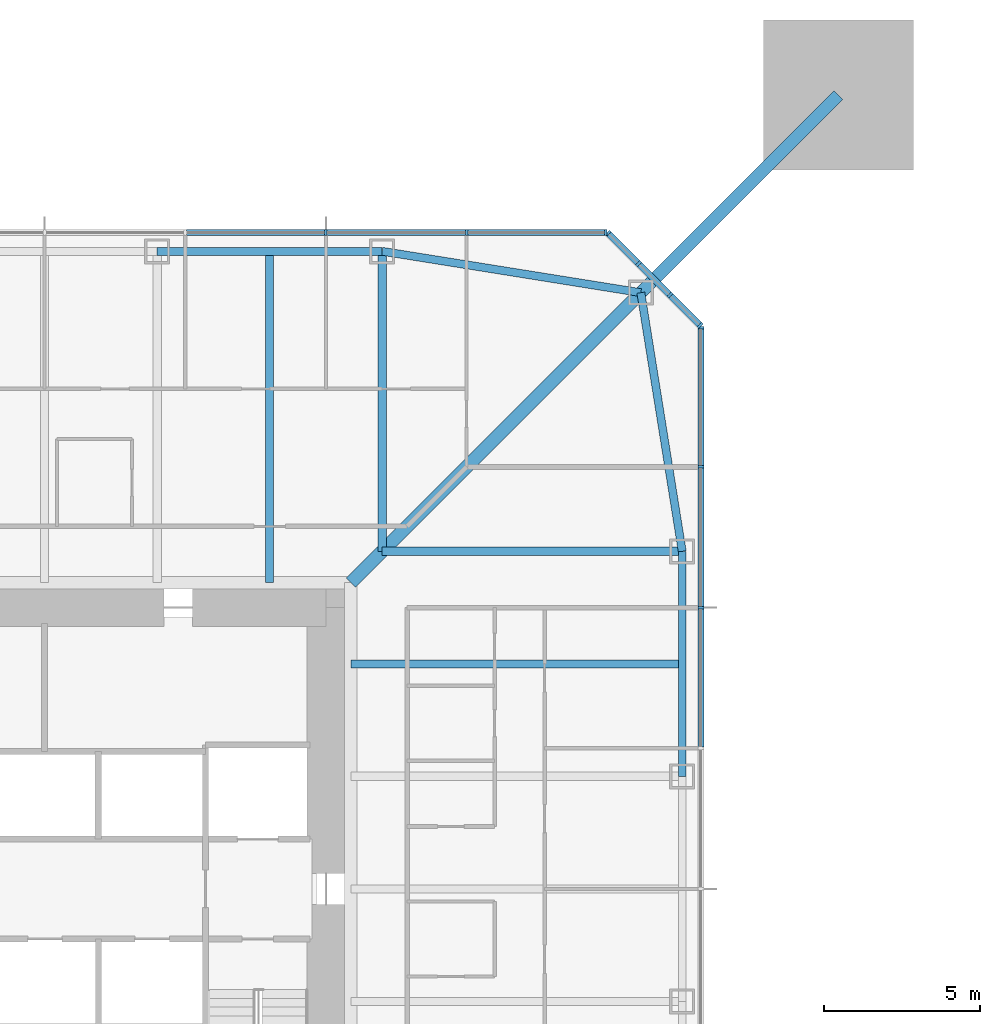
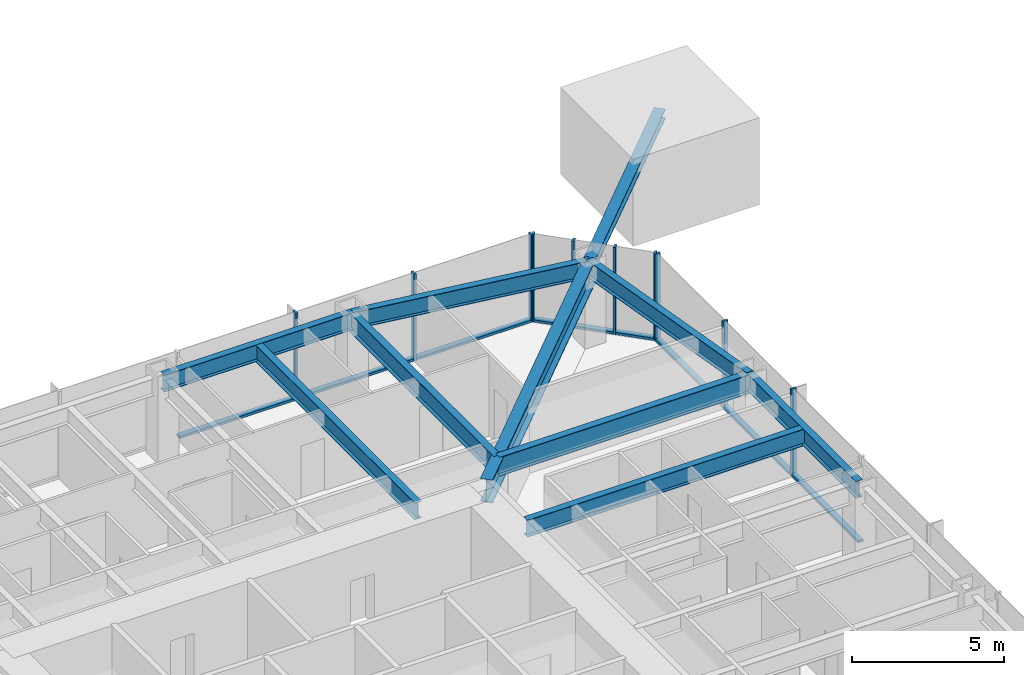
# One storey, part 7 of 25: 20 members, 9 beams, 3 elements without a shape of their own.
"""IFC4 building model written with IfcOpenShell, lengths in metres."""

from ifc_helpers import new_model, si_unit, direction, frame, origin, origin_2d, place, context, subcontext, project, spatial, rectangle, i_section, extrude, material, material_profile, profile_set, type_object, element, aggregate, save


model = new_model("IFC4")

# Units and contexts
model_context = context("Model", 3, precision=1e-05, world=origin(), true_north=direction((0.0, 1.0)))
body_context = subcontext(model_context, "Body", "Model", "MODEL_VIEW")
ifc_project = project(units=[si_unit("LENGTHUNIT", "METRE"), si_unit("AREAUNIT", "SQUARE_METRE"), si_unit("VOLUMEUNIT", "CUBIC_METRE"), si_unit("PLANEANGLEUNIT", "RADIAN"), si_unit("MASSUNIT", "GRAM", prefix="KILO")], contexts=[model_context])

# Site, building, storey
site_placement = place(None, origin())
site = spatial("IfcSite", under=ifc_project, at=site_placement, CompositionType="ELEMENT")
building_placement = place(site_placement, origin())
building = spatial("IfcBuilding", under=site, at=building_placement, Name="Iwan Alto Co-Living Towers", CompositionType="ELEMENT")
storey_placement = place(building_placement, frame((0.0, 0.0, 87.5)))
storey = spatial("IfcBuildingStorey", under=building, at=storey_placement, Name="L23", CompositionType="ELEMENT", Elevation=87.5)

# Curtain wall, members
ifc_material_1 = material(Name="Bronze aluminium unitised frame", Category="aluminium")
curtain_wall_type_1 = type_object("IfcCurtainWallType", Name="CURTAIN WALL CW-A", PredefinedType="NOTDEFINED", material=ifc_material_1)
curtain_wall_1_placement = place(storey_placement, origin())
curtain_wall_1 = element("IfcCurtainWall", 1, at=curtain_wall_1_placement, inside=storey, type_object=curtain_wall_type_1, Name="T1 curtain wall E L23", PredefinedType="NOTDEFINED")
ifc_material_2 = material(Name="Aluminium 6063-T6 bronze anodised", Category="aluminium")
ifc_material_profile_1 = material_profile(ifc_material_2, rectangle(XDim=0.199951171875, YDim=0.080078125, at=origin_2d()), Name="AL 80X200")
ifc_profile_set_1 = profile_set([ifc_material_profile_1], Name="Aluminium 6063-T6 bronze anodised")
member_type_1 = type_object("IfcMemberType", Name="CW-A MULLION 80X200", PredefinedType="MULLION", material=ifc_profile_set_1)
member_1_placement = place(storey_placement, frame((21.0, 9.0, 0.0), z_axis=(0.0, 0.0, 1.0), x_axis=(-1.0, 0.0, 0.0)))
member_1 = element("IfcMember", 2, at=member_1_placement, type_object=member_type_1, Name="CW-A mullion 7", PredefinedType="MULLION", context=body_context, shape_type="SweptSolid", body=[
    extrude(rectangle(XDim=0.199951171875, YDim=0.080078125, at=origin_2d()), origin(), (0.0, 0.0, 1.0), 3.5),
])
member_2_placement = place(storey_placement, frame((21.0, 13.5, 0.0), z_axis=(0.0, 0.0, 1.0), x_axis=(-1.0, 0.0, 0.0)))
member_2 = element("IfcMember", 3, at=member_2_placement, type_object=member_type_1, Name="CW-A mullion 8", PredefinedType="MULLION", context=body_context, shape_type="SweptSolid", body=[
    extrude(rectangle(XDim=0.199951171875, YDim=0.080078125, at=origin_2d()), origin(), (0.0, 0.0, 1.0), 3.5),
])
member_3_placement = place(storey_placement, frame((21.0, 17.9599609375, 0.0), z_axis=(0.0, 0.0, 1.0), x_axis=(-1.0, 0.0, 0.0)))
member_3 = element("IfcMember", 4, at=member_3_placement, type_object=member_type_1, Name="CW-A mullion 9", PredefinedType="MULLION", context=body_context, shape_type="SweptSolid", body=[
    extrude(rectangle(XDim=0.199951171875, YDim=0.080078125, at=origin_2d()), origin(), (0.0, 0.0, 1.0), 3.5),
])

curtain_wall_2_placement = place(storey_placement, origin())
curtain_wall_2 = element("IfcCurtainWall", 5, at=curtain_wall_2_placement, inside=storey, type_object=curtain_wall_type_1, Name="T1 curtain wall N L23", PredefinedType="NOTDEFINED")
member_4_placement = place(storey_placement, frame((17.9599609375, 21.0, 0.0), z_axis=(0.0, 0.0, 1.0), x_axis=(0.0, -1.0, 0.0)))
member_4 = element("IfcMember", 6, at=member_4_placement, type_object=member_type_1, Name="CW-A mullion 1", PredefinedType="MULLION", context=body_context, shape_type="SweptSolid", body=[
    extrude(rectangle(XDim=0.199951171875, YDim=0.080078125, at=origin_2d()), origin(), (0.0, 0.0, 1.0), 3.5),
])
member_5_placement = place(storey_placement, frame((13.5, 21.0, 0.0), z_axis=(0.0, 0.0, 1.0), x_axis=(0.0, -1.0, 0.0)))
member_5 = element("IfcMember", 7, at=member_5_placement, type_object=member_type_1, Name="CW-A mullion 2", PredefinedType="MULLION", context=body_context, shape_type="SweptSolid", body=[
    extrude(rectangle(XDim=0.199951171875, YDim=0.080078125, at=origin_2d()), origin(), (0.0, 0.0, 1.0), 3.5),
])
member_6_placement = place(storey_placement, frame((9.0, 21.0, 0.0), z_axis=(0.0, 0.0, 1.0), x_axis=(0.0, -1.0, 0.0)))
member_6 = element("IfcMember", 8, at=member_6_placement, type_object=member_type_1, Name="CW-A mullion 3", PredefinedType="MULLION", context=body_context, shape_type="SweptSolid", body=[
    extrude(rectangle(XDim=0.199951171875, YDim=0.080078125, at=origin_2d()), origin(), (0.0, 0.0, 1.0), 3.5),
])

# Member
ifc_material_3 = material(Name="Aluminium 6063-T6 bronze anodised", Category="aluminium")
ifc_material_profile_2 = material_profile(ifc_material_3, rectangle(XDim=0.199951171875, YDim=0.10009765625, at=origin_2d()), Name="AL 200X100")
ifc_profile_set_2 = profile_set([ifc_material_profile_2], Name="Aluminium 6063-T6 bronze anodised")
member_type_2 = type_object("IfcMemberType", Name="CW-A TRANSOM 200X100", PredefinedType="USERDEFINED", material=ifc_profile_set_2)
member_7_placement = place(storey_placement, frame((21.0, 4.5400390625, 0.050048828125), z_axis=(0.0, 1.0, 0.0), x_axis=(-1.0, 0.0, 0.0)))
member_7 = element("IfcMember", 9, at=member_7_placement, type_object=member_type_2, Name="CW-A transom 6.1", ObjectType="TRANSOM", PredefinedType="USERDEFINED", context=body_context, shape_type="SweptSolid", body=[
    extrude(rectangle(XDim=0.199951171875, YDim=0.10009765625, at=origin_2d()), origin(), (0.0, 0.0, 1.0), 4.419921875),
])

member_8_placement = place(storey_placement, frame((21.0, 9.0400390625, 0.050048828125), z_axis=(0.0, 1.0, 0.0), x_axis=(-1.0, 0.0, 0.0)))
member_8 = element("IfcMember", 10, at=member_8_placement, type_object=member_type_2, Name="CW-A transom 7.1", ObjectType="TRANSOM", PredefinedType="USERDEFINED", context=body_context, shape_type="SweptSolid", body=[
    extrude(rectangle(XDim=0.199951171875, YDim=0.10009765625, at=origin_2d()), origin(), (0.0, 0.0, 1.0), 4.419921875),
])

member_9_placement = place(storey_placement, frame((21.0, 13.5400390625, 0.050048828125), z_axis=(0.0, 1.0, 0.0), x_axis=(-1.0, 0.0, 0.0)))
member_9 = element("IfcMember", 11, at=member_9_placement, type_object=member_type_2, Name="CW-A transom 8.1", ObjectType="TRANSOM", PredefinedType="USERDEFINED", context=body_context, shape_type="SweptSolid", body=[
    extrude(rectangle(XDim=0.199951171875, YDim=0.10009765625, at=origin_2d()), origin(), (0.0, 0.0, 1.0), 4.3798828125),
])

aggregate(curtain_wall_1, [member_1, member_2, member_3, member_7, member_8, member_9])

member_10_placement = place(storey_placement, frame((17.919921875, 21.0, 0.050048828125), z_axis=(-1.0, 0.0, 0.0), x_axis=(0.0, -1.0, 0.0)))
member_10 = element("IfcMember", 12, at=member_10_placement, type_object=member_type_2, Name="CW-A transom 1.1", ObjectType="TRANSOM", PredefinedType="USERDEFINED", context=body_context, shape_type="SweptSolid", body=[
    extrude(rectangle(XDim=0.199951171875, YDim=0.10009765625, at=origin_2d()), origin(), (0.0, 0.0, 1.0), 4.3798828125),
])

member_11_placement = place(storey_placement, frame((13.4599609375, 21.0, 0.050048828125), z_axis=(-1.0, 0.0, 0.0), x_axis=(0.0, -1.0, 0.0)))
member_11 = element("IfcMember", 13, at=member_11_placement, type_object=member_type_2, Name="CW-A transom 2.1", ObjectType="TRANSOM", PredefinedType="USERDEFINED", context=body_context, shape_type="SweptSolid", body=[
    extrude(rectangle(XDim=0.199951171875, YDim=0.10009765625, at=origin_2d()), origin(), (0.0, 0.0, 1.0), 4.419921875),
])

member_12_placement = place(storey_placement, frame((8.9599609375, 21.0, 0.050048828125), z_axis=(-1.0, 0.0, 0.0), x_axis=(0.0, -1.0, 0.0)))
member_12 = element("IfcMember", 14, at=member_12_placement, type_object=member_type_2, Name="CW-A transom 3.1", ObjectType="TRANSOM", PredefinedType="USERDEFINED", context=body_context, shape_type="SweptSolid", body=[
    extrude(rectangle(XDim=0.199951171875, YDim=0.10009765625, at=origin_2d()), origin(), (0.0, 0.0, 1.0), 4.419921875),
])

aggregate(curtain_wall_2, [member_4, member_5, member_6, member_10, member_11, member_12])

# Curtain wall, members
ifc_material_4 = material(Name="Bronze aluminium unitised frame", Category="aluminium")
curtain_wall_type_2 = type_object("IfcCurtainWallType", Name="CURTAIN WALL CW-B", PredefinedType="NOTDEFINED", material=ifc_material_4)
curtain_wall_3_placement = place(storey_placement, origin())
curtain_wall_3 = element("IfcCurtainWall", 15, at=curtain_wall_3_placement, inside=storey, type_object=curtain_wall_type_2, Name="T1 chamfer curtain wall NE L23", PredefinedType="NOTDEFINED")
ifc_material_5 = material(Name="Aluminium 6063-T6 bronze anodised", Category="aluminium")
ifc_material_profile_3 = material_profile(ifc_material_5, rectangle(XDim=0.199951171875, YDim=0.080078125, at=origin_2d()), Name="AL 80X200")
ifc_profile_set_3 = profile_set([ifc_material_profile_3], Name="Aluminium 6063-T6 bronze anodised")
member_type_3 = type_object("IfcMemberType", Name="CW-B MULLION 80X200", PredefinedType="MULLION", material=ifc_profile_set_3)
member_13_placement = place(storey_placement, frame((20.9716796875, 18.0283203125, 0.0), z_axis=(0.0, 0.0, 1.0), x_axis=(-0.707106781187, -0.707106781187, 0.0)))
member_13 = element("IfcMember", 16, at=member_13_placement, type_object=member_type_3, Name="CW-B mullion 1", PredefinedType="MULLION", context=body_context, shape_type="SweptSolid", body=[
    extrude(rectangle(XDim=0.199951171875, YDim=0.080078125, at=origin_2d()), origin(), (0.0, 0.0, 1.0), 3.5),
])
member_14_placement = place(storey_placement, frame((20.0, 19.0, 0.0), z_axis=(0.0, 0.0, 1.0), x_axis=(-0.707106781187, -0.707106781187, 0.0)))
member_14 = element("IfcMember", 17, at=member_14_placement, type_object=member_type_3, Name="CW-B mullion 2", PredefinedType="MULLION", context=body_context, shape_type="SweptSolid", body=[
    extrude(rectangle(XDim=0.199951171875, YDim=0.080078125, at=origin_2d()), origin(), (0.0, 0.0, 1.0), 3.5),
])
member_15_placement = place(storey_placement, frame((19.0, 20.0, 0.0), z_axis=(0.0, 0.0, 1.0), x_axis=(-0.707106781187, -0.707106781187, 0.0)))
member_15 = element("IfcMember", 18, at=member_15_placement, type_object=member_type_3, Name="CW-B mullion 3", PredefinedType="MULLION", context=body_context, shape_type="SweptSolid", body=[
    extrude(rectangle(XDim=0.199951171875, YDim=0.080078125, at=origin_2d()), origin(), (0.0, 0.0, 1.0), 3.5),
])
member_16_placement = place(storey_placement, frame((18.0283203125, 20.9716796875, 0.0), z_axis=(0.0, 0.0, 1.0), x_axis=(-0.707106781187, -0.707106781187, 0.0)))
member_16 = element("IfcMember", 19, at=member_16_placement, type_object=member_type_3, Name="CW-B mullion 4", PredefinedType="MULLION", context=body_context, shape_type="SweptSolid", body=[
    extrude(rectangle(XDim=0.199951171875, YDim=0.080078125, at=origin_2d()), origin(), (0.0, 0.0, 1.0), 3.5),
])
ifc_material_6 = material(Name="Aluminium 6063-T6 bronze anodised", Category="aluminium")
ifc_material_profile_4 = material_profile(ifc_material_6, rectangle(XDim=0.199951171875, YDim=0.10009765625, at=origin_2d()), Name="AL 200X100")
ifc_profile_set_4 = profile_set([ifc_material_profile_4], Name="Aluminium 6063-T6 bronze anodised")
member_type_4 = type_object("IfcMemberType", Name="CW-B TRANSOM 200X100", PredefinedType="USERDEFINED", material=ifc_profile_set_4)
member_17_placement = place(storey_placement, frame((20.943359375, 18.056640625, 0.050048828125), z_axis=(-0.707106781187, 0.707106781187, 0.0), x_axis=(-0.707106781187, -0.707106781187, 0.0)))
member_17 = element("IfcMember", 20, at=member_17_placement, type_object=member_type_4, Name="CW-B transom 1.1", ObjectType="TRANSOM", PredefinedType="USERDEFINED", context=body_context, shape_type="SweptSolid", body=[
    extrude(rectangle(XDim=0.199951171875, YDim=0.10009765625, at=origin_2d()), origin(), (0.0, 0.0, 1.0), 1.2939453125),
])
member_18_placement = place(storey_placement, frame((19.9716796875, 19.0283203125, 0.050048828125), z_axis=(-0.707106781187, 0.707106781187, 0.0), x_axis=(-0.707106781187, -0.707106781187, 0.0)))
member_18 = element("IfcMember", 21, at=member_18_placement, type_object=member_type_4, Name="CW-B transom 2.1", ObjectType="TRANSOM", PredefinedType="USERDEFINED", context=body_context, shape_type="SweptSolid", body=[
    extrude(rectangle(XDim=0.199951171875, YDim=0.10009765625, at=origin_2d()), origin(), (0.0, 0.0, 1.0), 1.334228515625),
])
member_19_placement = place(storey_placement, frame((18.9716796875, 20.0283203125, 0.050048828125), z_axis=(-0.707106781187, 0.707106781187, 0.0), x_axis=(-0.707106781187, -0.707106781187, 0.0)))
member_19 = element("IfcMember", 22, at=member_19_placement, type_object=member_type_4, Name="CW-B transom 3.1", ObjectType="TRANSOM", PredefinedType="USERDEFINED", context=body_context, shape_type="SweptSolid", body=[
    extrude(rectangle(XDim=0.199951171875, YDim=0.10009765625, at=origin_2d()), origin(), (0.0, 0.0, 1.0), 1.2939453125),
])
aggregate(curtain_wall_3, [member_13, member_14, member_15, member_16, member_17, member_18, member_19])

# Beams
ifc_material_7 = material(Name="Steel ASTM A992 Gr 50", Category="steel")
ifc_material_profile_5 = material_profile(ifc_material_7, i_section(OverallWidth=0.419189453125, OverallDepth=0.927001953125, WebThickness=0.019287109375, FlangeThickness=0.031982421875, at=origin_2d()), Name="W36X231")
ifc_profile_set_5 = profile_set([ifc_material_profile_5], Name="Steel ASTM A992 Gr 50")
beam_type_1 = type_object("IfcBeamType", Name="T1 CORNER GIRDER W36X231", PredefinedType="BEAM", material=ifc_profile_set_5)
beam_1_placement = place(storey_placement, frame((19.07568359375, 19.07568359375, 2.806396484375), z_axis=(-0.707106781187, -0.707106781187, 0.0), x_axis=(0.707106781187, -0.707106781187, 0.0)))
element("IfcBeam", 23, at=beam_1_placement, inside=storey, type_object=beam_type_1, Name="T1 corner girder CNE L24", PredefinedType="BEAM", context=body_context, shape_type="SweptSolid", body=[
    extrude(i_section(OverallWidth=0.419189453125, OverallDepth=0.927001953125, WebThickness=0.019287109375, FlangeThickness=0.031982421875, at=origin_2d()), origin(), (0.0, 0.0, 1.0), 13.11865234375),
])
ifc_material_8 = material(Name="Steel ASTM A992 Gr 50", Category="steel")
ifc_material_profile_6 = material_profile(ifc_material_8, i_section(OverallWidth=0.25390625, OverallDepth=0.683349609375, WebThickness=0.012451171875, FlangeThickness=0.018798828125, at=origin_2d()), Name="W27X94")
ifc_profile_set_6 = profile_set([ifc_material_profile_6], Name="Steel ASTM A992 Gr 50")
beam_type_2 = type_object("IfcBeamType", Name="T1 EDGE BEAM W27X94", PredefinedType="BEAM", material=ifc_profile_set_6)
beam_2_placement = place(storey_placement, frame((20.39990234375, 3.60009765625, 2.928466796875), z_axis=(0.0, 1.0, 0.0), x_axis=(-1.0, 0.0, 0.0)))
element("IfcBeam", 24, at=beam_2_placement, inside=storey, type_object=beam_type_2, Name="T1 edge beam E3 L24", PredefinedType="BEAM", context=body_context, shape_type="SweptSolid", body=[
    extrude(i_section(OverallWidth=0.25390625, OverallDepth=0.683349609375, WebThickness=0.012451171875, FlangeThickness=0.018798828125, at=origin_2d()), origin(), (0.0, 0.0, 1.0), 7.199951171875),
])
for number, where, z_axis, x_axis, name in (
    (25, (20.39990234375, 10.800048828125, 2.928466796875), (-0.158004134737, 0.987438450439, 0.0), (-0.987438450439, -0.158004134737, 0.0), "T1 edge beam E4 L24"),
    (26, (19.07568359375, 19.07568359375, 2.928466796875), (-0.987438450439, 0.158004134737, 0.0), (-0.158004134737, -0.987438450439, 0.0), "T1 edge beam CNE L24"),
):
    element("IfcBeam", number, at=place(storey_placement, frame(where, z_axis=z_axis, x_axis=x_axis)), inside=storey, type_object=beam_type_2, Name=name, PredefinedType="BEAM", context=body_context, shape_type="SweptSolid", body=[
        extrude(i_section(OverallWidth=0.25390625, OverallDepth=0.683349609375, WebThickness=0.012451171875, FlangeThickness=0.018798828125, at=origin_2d()), origin(), (0.0, 0.0, 1.0), 8.380859375),
    ])
beam_3_placement = place(storey_placement, frame((10.800048828125, 20.39990234375, 2.928466796875), z_axis=(-1.0, 0.0, 0.0), x_axis=(0.0, -1.0, 0.0)))
element("IfcBeam", 27, at=beam_3_placement, inside=storey, type_object=beam_type_2, Name="T1 edge beam N1 L24", PredefinedType="BEAM", context=body_context, shape_type="SweptSolid", body=[
    extrude(i_section(OverallWidth=0.25390625, OverallDepth=0.683349609375, WebThickness=0.012451171875, FlangeThickness=0.018798828125, at=origin_2d()), origin(), (0.0, 0.0, 1.0), 7.199951171875),
])

# Member
ifc_material_9 = material(Name="Steel ASTM A992 Gr 50", Category="steel")
ifc_material_profile_7 = material_profile(ifc_material_9, i_section(OverallWidth=0.393798828125, OverallDepth=0.3759765625, WebThickness=0.017333984375, FlangeThickness=0.027587890625, at=origin_2d()), Name="W14X145")
ifc_profile_set_7 = profile_set([ifc_material_profile_7], Name="Steel ASTM A992 Gr 50")
member_type_5 = type_object("IfcMemberType", Name="T1 MEGA COLUMN FLOOR TIE W14X145", PredefinedType="STRUT", material=ifc_profile_set_7)
member_20_placement = place(storey_placement, frame((25.39990234375, 25.39990234375, 3.08203125), z_axis=(-0.707106781187, -0.707106781187, 0.0), x_axis=(0.707106781187, -0.707106781187, 0.0)))
element("IfcMember", 28, at=member_20_placement, inside=storey, type_object=member_type_5, Name="T1 mega column floor tie NE L24", PredefinedType="STRUT", context=body_context, shape_type="SweptSolid", body=[
    extrude(i_section(OverallWidth=0.393798828125, OverallDepth=0.3759765625, WebThickness=0.017333984375, FlangeThickness=0.027587890625, at=origin_2d()), origin(), (0.0, 0.0, 1.0), 8.94384765625),
])

# Beams
ifc_material_10 = material(Name="Steel ASTM A992 Gr 50", Category="steel")
ifc_material_profile_8 = material_profile(ifc_material_10, i_section(OverallWidth=0.2666015625, OverallDepth=0.761962890625, WebThickness=0.014404296875, FlangeThickness=0.021484375, at=origin_2d()), Name="W30X116")
ifc_profile_set_8 = profile_set([ifc_material_profile_8], Name="Steel ASTM A992 Gr 50")
beam_type_3 = type_object("IfcBeamType", Name="T1 RADIAL BEAM W30X116", PredefinedType="BEAM", material=ifc_profile_set_8)
for number, where, z_axis, x_axis, name in (
    (29, (20.39990234375, 10.800048828125, 2.888916015625), (-1.0, 0.0, 0.0), (0.0, -1.0, 0.0), "T1 radial beam E4 L24"),
    (30, (10.800048828125, 20.39990234375, 2.888916015625), (0.0, -1.0, 0.0), (1.0, 0.0, 0.0), "T1 radial beam N1 L24"),
):
    element("IfcBeam", number, at=place(storey_placement, frame(where, z_axis=z_axis, x_axis=x_axis)), inside=storey, type_object=beam_type_3, Name=name, PredefinedType="BEAM", context=body_context, shape_type="SweptSolid", body=[
        extrude(i_section(OverallWidth=0.2666015625, OverallDepth=0.761962890625, WebThickness=0.014404296875, FlangeThickness=0.021484375, at=origin_2d()), origin(), (0.0, 0.0, 1.0), 9.599853515625),
    ])
ifc_material_11 = material(Name="Steel ASTM A992 Gr 50", Category="steel")
ifc_material_profile_9 = material_profile(ifc_material_11, i_section(OverallWidth=0.25390625, OverallDepth=0.683349609375, WebThickness=0.012451171875, FlangeThickness=0.018798828125, at=origin_2d()), Name="W27X94")
ifc_profile_set_9 = profile_set([ifc_material_profile_9], Name="Steel ASTM A992 Gr 50")
beam_type_4 = type_object("IfcBeamType", Name="T1 SECONDARY BEAM W27X94", PredefinedType="JOIST", material=ifc_profile_set_9)
for number, where, z_axis, x_axis, name in (
    (31, (20.39990234375, 7.199951171875, 2.928466796875), (-1.0, 0.0, 0.0), (0.0, -1.0, 0.0), "T1 secondary beam E3 L24"),
    (32, (7.199951171875, 20.39990234375, 2.928466796875), (0.0, -1.0, 0.0), (1.0, 0.0, 0.0), "T1 secondary beam N1 L24"),
):
    element("IfcBeam", number, at=place(storey_placement, frame(where, z_axis=z_axis, x_axis=x_axis)), inside=storey, type_object=beam_type_4, Name=name, PredefinedType="JOIST", context=body_context, shape_type="SweptSolid", body=[
        extrude(i_section(OverallWidth=0.25390625, OverallDepth=0.683349609375, WebThickness=0.012451171875, FlangeThickness=0.018798828125, at=origin_2d()), origin(), (0.0, 0.0, 1.0), 10.6005859375),
    ])

save(model, "model.ifc")
